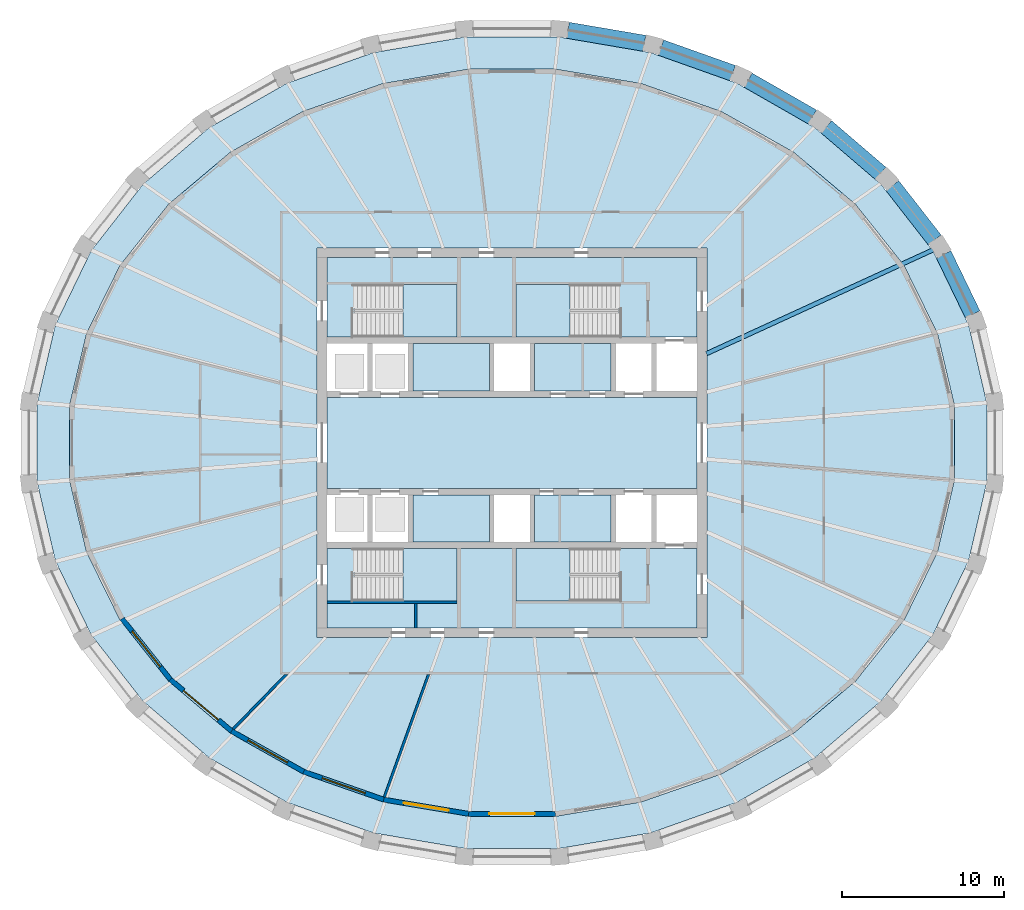
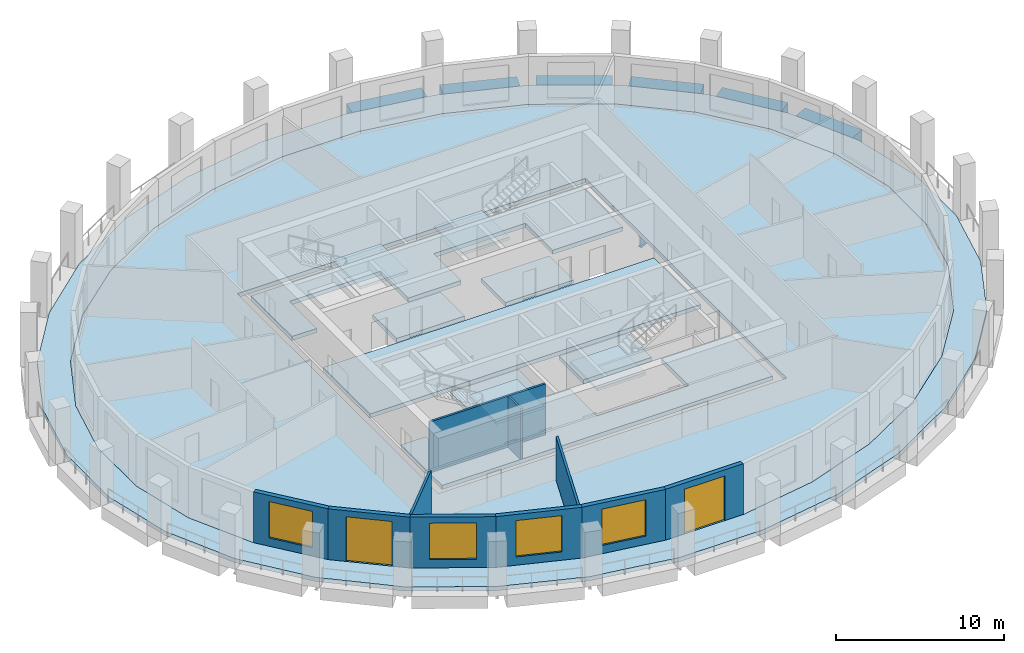
# One storey, part 2 of 10: 13 slabs, 10 walls, 7 beams, 4 windows, 2 doors, 6 openings, 4 elements without a shape of their own.
"""IFC4 building model written with IfcOpenShell, lengths in metres."""

from ifc_helpers import new_model, si_unit, direction, frame, frame_2d, origin, origin_2d, place, context, subcontext, project, spatial, polyline, rectangle, i_section, outline, extrude, material, layer, layer_set, material_profile, profile_set, type_object, element, fill, aggregate, save


model = new_model("IFC4")

# Units and contexts
model_context = context("Model", 3, precision=1e-05, world=origin(), true_north=direction((0.0, 1.0)))
body_context = subcontext(model_context, "Body", "Model", "MODEL_VIEW")
ifc_project = project(units=[si_unit("LENGTHUNIT", "METRE"), si_unit("AREAUNIT", "SQUARE_METRE"), si_unit("VOLUMEUNIT", "CUBIC_METRE"), si_unit("PLANEANGLEUNIT", "RADIAN"), si_unit("MASSUNIT", "GRAM", prefix="KILO")], contexts=[model_context])

# Site, building, storey
site_placement = place(None, origin())
site = spatial("IfcSite", under=ifc_project, at=site_placement, CompositionType="ELEMENT")
building_placement = place(site_placement, origin())
building = spatial("IfcBuilding", under=site, at=building_placement, Name="Halqa Exchange Tower", CompositionType="ELEMENT")
storey_placement = place(building_placement, frame((0.0, 0.0, 272.300048828125)))
storey = spatial("IfcBuildingStorey", under=building, at=storey_placement, Name="L63", CompositionType="ELEMENT", Elevation=272.300048828125)

# Beams
ifc_material_1 = material(Name="Steel S355", Category="steel")
ifc_material_profile_1 = material_profile(ifc_material_1, i_section(OverallWidth=0.264892578125, OverallDepth=0.7529296875, WebThickness=0.01318359375, FlangeThickness=0.01708984375, FilletRadius=0.01708984375, at=origin_2d()), Name="IPE 750x147")
ifc_profile_set_1 = profile_set([ifc_material_profile_1], Name="Steel S355")
beam_type_1 = type_object("IfcBeamType", Name="Floor beam IPE 750x147", PredefinedType="BEAM", material=ifc_profile_set_1)
beam_1_placement = place(storey_placement, frame((11.972412109375, 5.485107421875, -0.676513671875), z_axis=(0.909124745555, 0.416523945314, 0.0), x_axis=(-0.416523945314, 0.909124745555, 0.0)))
element("IfcBeam", 1, at=beam_1_placement, inside=storey, type_object=beam_type_1, Name="Radial beam 3", PredefinedType="BEAM", context=body_context, shape_type="SweptSolid", body=[
    extrude(i_section(OverallWidth=0.264892578125, OverallDepth=0.7529296875, WebThickness=0.01318359375, FlangeThickness=0.01708984375, FilletRadius=0.01708984375, at=origin_2d()), origin(), (0.0, 0.0, 1.0), 15.429443359375),
])
ifc_material_2 = material(Name="Concrete C60/75", Category="concrete")
ifc_material_profile_2 = material_profile(ifc_material_2, rectangle(XDim=1.0, YDim=0.89990234375, at=origin_2d()), Name="1000 x 900")
ifc_profile_set_2 = profile_set([ifc_material_profile_2], Name="Concrete C60/75")
beam_type_2 = type_object("IfcBeamType", Name="RC spandrel beam 1000 x 900 C60/75", PredefinedType="SPANDREL", material=ifc_profile_set_2)
beam_2_placement = place(storey_placement, frame((28.353759765625, 7.904541015625, -0.449951171875), z_axis=(-0.43506886732, 0.90039717941, 0.0), x_axis=(-0.90039717941, -0.43506886732, 0.0)))
element("IfcBeam", 2, at=beam_2_placement, inside=storey, type_object=beam_type_2, Name="Spandrel 2", PredefinedType="SPANDREL", context=body_context, shape_type="SweptSolid", body=[
    extrude(rectangle(XDim=1.0, YDim=0.89990234375, at=origin_2d()), origin(), (0.0, 0.0, 1.0), 4.0986328125),
])
beam_3_placement = place(storey_placement, frame((26.01904296875, 12.482421875, -0.449951171875), z_axis=(-0.614844941027, 0.788648019394, 0.0), x_axis=(-0.788648019394, -0.614844941027, 0.0)))
element("IfcBeam", 3, at=beam_3_placement, inside=storey, type_object=beam_type_2, Name="Spandrel 3", PredefinedType="SPANDREL", context=body_context, shape_type="SweptSolid", body=[
    extrude(rectangle(XDim=1.0, YDim=0.89990234375, at=origin_2d()), origin(), (0.0, 0.0, 1.0), 4.24072265625),
])
beam_4_placement = place(storey_placement, frame((22.690673828125, 16.58251953125, -0.449951171875), z_axis=(-0.759264428132, 0.650782243284, 0.0), x_axis=(-0.650782243284, -0.759264428132, 0.0)))
element("IfcBeam", 4, at=beam_4_placement, inside=storey, type_object=beam_type_2, Name="Spandrel 4", PredefinedType="SPANDREL", context=body_context, shape_type="SweptSolid", body=[
    extrude(rectangle(XDim=1.0, YDim=0.89990234375, at=origin_2d()), origin(), (0.0, 0.0, 1.0), 4.404296875),
])
beam_5_placement = place(storey_placement, frame((18.493896484375, 20.05029296875, -0.449951171875), z_axis=(-0.867728942601, 0.497037706992, 0.0), x_axis=(-0.497037706992, -0.867728942601, 0.0)))
element("IfcBeam", 5, at=beam_5_placement, inside=storey, type_object=beam_type_2, Name="Spandrel 5", PredefinedType="SPANDREL", context=body_context, shape_type="SweptSolid", body=[
    extrude(rectangle(XDim=1.0, YDim=0.89990234375, at=origin_2d()), origin(), (0.0, 0.0, 1.0), 4.562255859375),
])
beam_6_placement = place(storey_placement, frame((13.58642578125, 22.753662109375, -0.449951171875), z_axis=(-0.942370071958, 0.334572335194, 0.0), x_axis=(-0.334572335194, -0.942370071958, 0.0)))
element("IfcBeam", 6, at=beam_6_placement, inside=storey, type_object=beam_type_2, Name="Spandrel 6", PredefinedType="SPANDREL", context=body_context, shape_type="SweptSolid", body=[
    extrude(rectangle(XDim=1.0, YDim=0.89990234375, at=origin_2d()), origin(), (0.0, 0.0, 1.0), 4.692138671875),
])
beam_7_placement = place(storey_placement, frame((8.153564453125, 24.587158203125, -0.449951171875), z_axis=(-0.985773827322, 0.168077248215, 0.0), x_axis=(-0.168077248215, -0.985773827322, 0.0)))
element("IfcBeam", 7, at=beam_7_placement, inside=storey, type_object=beam_type_2, Name="Spandrel 7", PredefinedType="SPANDREL", context=body_context, shape_type="SweptSolid", body=[
    extrude(rectangle(XDim=1.0, YDim=0.89990234375, at=origin_2d()), origin(), (0.0, 0.0, 1.0), 4.77734375),
])

# Slabs
ifc_layer_1 = layer(ifc_material_2, 0.300048828125)
ifc_layer_set_1 = layer_set([ifc_layer_1], Name="Concrete C60/75")
slab_type_1 = type_object("IfcSlabType", Name="Core floor slab 300", PredefinedType="FLOOR", material=ifc_layer_set_1)
slab_1_placement = place(storey_placement, frame((0.0, 0.0, -0.300048828125)))
element("IfcSlab", 8, at=slab_1_placement, inside=storey, type_object=slab_type_1, Name="Core floor slab", PredefinedType="FLOOR", context=body_context, shape_type="SweptSolid", body=[
    extrude(outline(polyline([(-11.39990234375, 2.800048828125), (11.39990234375, 2.800048828125), (11.39990234375, -2.800048828125), (-11.39990234375, -2.800048828125), (-11.39990234375, 2.800048828125)])), origin(), (0.0, 0.0, 1.0), 0.300048828125),
])
slab_2_placement = place(storey_placement, frame((0.0, 0.0, -0.300048828125)))
element("IfcSlab", 9, at=slab_2_placement, inside=storey, type_object=slab_type_1, Name="Core floor slab", PredefinedType="FLOOR", context=body_context, shape_type="SweptSolid", body=[
    extrude(outline(polyline([(-11.39990234375, 11.39990234375), (11.39990234375, 11.39990234375), (11.39990234375, 6.5), (6.550048828125, 6.5), (6.550048828125, 9.75), (0.25, 9.75), (0.25, 6.5), (-3.39990234375, 6.5), (-3.39990234375, 9.75), (-9.699951171875, 9.75), (-9.699951171875, 6.5), (-11.39990234375, 6.5), (-11.39990234375, 11.39990234375)])), origin(), (0.0, 0.0, 1.0), 0.300048828125),
])
slab_3_placement = place(storey_placement, frame((0.0, 0.0, -0.300048828125)))
element("IfcSlab", 10, at=slab_3_placement, inside=storey, type_object=slab_type_1, Name="Core floor slab", PredefinedType="FLOOR", context=body_context, shape_type="SweptSolid", body=[
    extrude(outline(polyline([(-11.39990234375, -6.5), (-9.699951171875, -6.5), (-9.699951171875, -9.75), (-3.39990234375, -9.75), (-3.39990234375, -6.5), (0.25, -6.5), (0.25, -9.75), (6.550048828125, -9.75), (6.550048828125, -6.5), (11.39990234375, -6.5), (11.39990234375, -11.39990234375), (-11.39990234375, -11.39990234375), (-11.39990234375, -6.5)])), origin(), (0.0, 0.0, 1.0), 0.300048828125),
])
slab_4_placement = place(storey_placement, frame((0.0, 0.0, -0.300048828125)))
element("IfcSlab", 11, at=slab_4_placement, inside=storey, type_object=slab_type_1, Name="Core floor slab", PredefinedType="FLOOR", context=body_context, shape_type="SweptSolid", body=[
    extrude(outline(polyline([(-1.39990234375, -3.199951171875), (-1.39990234375, -6.10009765625), (-6.10009765625, -6.10009765625), (-6.10009765625, -3.199951171875), (-1.39990234375, -3.199951171875)])), origin(), (0.0, 0.0, 1.0), 0.300048828125),
])
slab_5_placement = place(storey_placement, frame((0.0, 0.0, -0.300048828125)))
element("IfcSlab", 12, at=slab_5_placement, inside=storey, type_object=slab_type_1, Name="Core floor slab", PredefinedType="FLOOR", context=body_context, shape_type="SweptSolid", body=[
    extrude(outline(polyline([(-1.39990234375, 3.199951171875), (-6.10009765625, 3.199951171875), (-6.10009765625, 6.10009765625), (-1.39990234375, 6.10009765625), (-1.39990234375, 3.199951171875)])), origin(), (0.0, 0.0, 1.0), 0.300048828125),
])
slab_6_placement = place(storey_placement, frame((0.0, 0.0, -0.300048828125)))
element("IfcSlab", 13, at=slab_6_placement, inside=storey, type_object=slab_type_1, Name="Core floor slab", PredefinedType="FLOOR", context=body_context, shape_type="SweptSolid", body=[
    extrude(outline(polyline([(6.10009765625, -3.199951171875), (6.10009765625, -6.10009765625), (1.39990234375, -6.10009765625), (1.39990234375, -3.199951171875), (6.10009765625, -3.199951171875)])), origin(), (0.0, 0.0, 1.0), 0.300048828125),
])
slab_7_placement = place(storey_placement, frame((0.0, 0.0, -0.300048828125)))
element("IfcSlab", 14, at=slab_7_placement, inside=storey, type_object=slab_type_1, Name="Core floor slab", PredefinedType="FLOOR", context=body_context, shape_type="SweptSolid", body=[
    extrude(outline(polyline([(6.10009765625, 6.10009765625), (6.10009765625, 3.199951171875), (1.39990234375, 3.199951171875), (1.39990234375, 6.10009765625), (6.10009765625, 6.10009765625)])), origin(), (0.0, 0.0, 1.0), 0.300048828125),
])
ifc_material_3 = material(Name="Concrete C40/50", Category="concrete")
ifc_layer_2 = layer(ifc_material_3, 0.300048828125)
ifc_layer_set_2 = layer_set([ifc_layer_2], Name="Concrete C40/50")
slab_type_2 = type_object("IfcSlabType", Name="RC floor slab 300", PredefinedType="FLOOR", material=ifc_layer_set_2)
slab_8_placement = place(storey_placement, frame((0.0, 0.0, -0.300048828125)))
element("IfcSlab", 15, at=slab_8_placement, inside=storey, type_object=slab_type_2, Name="Floor slab", PredefinedType="FLOOR", context=body_context, shape_type="SweptSolid", body=[
    extrude(outline(polyline([(27.238037109375, 2.269775390625), (26.18701171875, 6.720703125), (24.127197265625, 10.909912109375), (21.140380859375, 14.675048828125), (17.34375, 17.873291015625), (12.884033203125, 20.383544921875), (7.93212890625, 22.111328125), (2.67822265625, 22.99169921875), (-2.67822265625, 22.99169921875), (-7.93212890625, 22.111328125), (-12.884033203125, 20.383544921875), (-17.34375, 17.873291015625), (-21.140380859375, 14.675048828125), (-24.127197265625, 10.909912109375), (-26.18701171875, 6.720703125), (-27.238037109375, 2.269775390625), (-27.238037109375, -2.269775390625), (-26.18701171875, -6.720703125), (-24.127197265625, -10.909912109375), (-21.140380859375, -14.675048828125), (-17.34375, -17.873291015625), (-12.884033203125, -20.383544921875), (-7.93212890625, -22.111328125), (-2.67822265625, -22.99169921875), (2.67822265625, -22.99169921875), (7.93212890625, -22.111328125), (12.884033203125, -20.383544921875), (17.34375, -17.873291015625), (21.140380859375, -14.675048828125), (24.127197265625, -10.909912109375), (26.18701171875, -6.720703125), (27.238037109375, -2.269775390625), (27.238037109375, 2.269775390625)]), holes=[polyline([(-12.0, -12.0), (12.0, -12.0), (12.0, 12.0), (-12.0, 12.0), (-12.0, -12.0)])]), origin(), (0.0, 0.0, 1.0), 0.300048828125),
])
ifc_layer_3 = layer(ifc_material_3, 0.300048828125)
ifc_layer_set_3 = layer_set([ifc_layer_3], Name="Concrete C40/50")
slab_type_3 = type_object("IfcSlabType", Name="RC loggia slab 300", PredefinedType="FLOOR", material=ifc_layer_set_3)
slab_9_placement = place(storey_placement, frame((0.0, 0.0, -0.300048828125)))
element("IfcSlab", 16, at=slab_9_placement, inside=storey, type_object=slab_type_3, Name="Loggia slab", PredefinedType="FLOOR", context=body_context, shape_type="SweptSolid", body=[
    extrude(outline(polyline([(29.224609375, 2.4521484375), (29.224609375, -2.4521484375), (28.10791015625, -7.264404296875), (25.91455078125, -11.802978515625), (22.72509765625, -15.894287109375), (18.65869140625, -19.3798828125), (13.870361328125, -22.122314453125), (8.543701171875, -24.013427734375), (2.88525390625, -24.978271484375), (-2.88525390625, -24.978271484375), (-8.543701171875, -24.013427734375), (-13.870361328125, -22.122314453125), (-18.65869140625, -19.3798828125), (-22.72509765625, -15.894287109375), (-25.91455078125, -11.802978515625), (-28.10791015625, -7.264404296875), (-29.224609375, -2.4521484375), (-29.224609375, 2.4521484375), (-28.10791015625, 7.264404296875), (-25.91455078125, 11.802978515625), (-22.72509765625, 15.894287109375), (-18.65869140625, 19.3798828125), (-13.870361328125, 22.122314453125), (-8.543701171875, 24.013427734375), (-2.88525390625, 24.978271484375), (2.88525390625, 24.978271484375), (8.543701171875, 24.013427734375), (13.870361328125, 22.122314453125), (18.65869140625, 19.3798828125), (22.72509765625, 15.894287109375), (25.91455078125, 11.802978515625), (28.10791015625, 7.264404296875), (29.224609375, 2.4521484375)]), holes=[polyline([(27.238037109375, 2.269775390625), (26.18701171875, 6.720703125), (24.127197265625, 10.909912109375), (21.140380859375, 14.675048828125), (17.34375, 17.873291015625), (12.884033203125, 20.383544921875), (7.93212890625, 22.111328125), (2.67822265625, 22.99169921875), (-2.67822265625, 22.99169921875), (-7.93212890625, 22.111328125), (-12.884033203125, 20.383544921875), (-17.34375, 17.873291015625), (-21.140380859375, 14.675048828125), (-24.127197265625, 10.909912109375), (-26.18701171875, 6.720703125), (-27.238037109375, 2.269775390625), (-27.238037109375, -2.269775390625), (-26.18701171875, -6.720703125), (-24.127197265625, -10.909912109375), (-21.140380859375, -14.675048828125), (-17.34375, -17.873291015625), (-12.884033203125, -20.383544921875), (-7.93212890625, -22.111328125), (-2.67822265625, -22.99169921875), (2.67822265625, -22.99169921875), (7.93212890625, -22.111328125), (12.884033203125, -20.383544921875), (17.34375, -17.873291015625), (21.140380859375, -14.675048828125), (24.127197265625, -10.909912109375), (26.18701171875, -6.720703125), (27.238037109375, -2.269775390625), (27.238037109375, 2.269775390625)])]), origin(), (0.0, 0.0, 1.0), 0.300048828125),
])

# Stair, slab
ifc_material_4 = material(Name="Concrete C30/37", Category="concrete")
stair_type = type_object("IfcStairType", Name="Exit stair 1500 wide", PredefinedType="HALF_TURN_STAIR", material=ifc_material_4)
stair_1_placement = place(storey_placement, origin())
stair_1 = element("IfcStair", 17, at=stair_1_placement, inside=storey, type_object=stair_type, Name="Exit stair ST1", PredefinedType="HALF_TURN_STAIR")
ifc_layer_4 = layer(ifc_material_4, 0.199951171875)
ifc_layer_set_4 = layer_set([ifc_layer_4], Name="Concrete C30/37")
slab_type_4 = type_object("IfcSlabType", Name="Stair landing 200 slab", PredefinedType="LANDING", material=ifc_layer_set_4)
slab_10_placement = place(storey_placement, frame((0.0, 0.0, 1.800048828125)))
slab_10 = element("IfcSlab", 18, at=slab_10_placement, type_object=slab_type_4, Name="ST1 landing 1", PredefinedType="LANDING", context=body_context, shape_type="SweptSolid", body=[
    extrude(outline(polyline([(-6.719970703125, 6.5), (-3.39990234375, 6.5), (-3.39990234375, 9.75), (-6.719970703125, 9.75), (-6.719970703125, 6.5)])), origin(), (0.0, 0.0, 1.0), 0.199951171875),
])
aggregate(stair_1, [slab_10])

stair_2_placement = place(storey_placement, origin())
stair_2 = element("IfcStair", 19, at=stair_2_placement, inside=storey, type_object=stair_type, Name="Exit stair ST2", PredefinedType="HALF_TURN_STAIR")
slab_11_placement = place(storey_placement, frame((0.0, 0.0, 1.800048828125)))
slab_11 = element("IfcSlab", 20, at=slab_11_placement, type_object=slab_type_4, Name="ST2 landing 1", PredefinedType="LANDING", context=body_context, shape_type="SweptSolid", body=[
    extrude(outline(polyline([(0.25, 6.5), (3.570068359375, 6.5), (3.570068359375, 9.75), (0.25, 9.75), (0.25, 6.5)])), origin(), (0.0, 0.0, 1.0), 0.199951171875),
])
aggregate(stair_2, [slab_11])

stair_3_placement = place(storey_placement, origin())
stair_3 = element("IfcStair", 21, at=stair_3_placement, inside=storey, type_object=stair_type, Name="Exit stair ST3", PredefinedType="HALF_TURN_STAIR")
slab_12_placement = place(storey_placement, frame((0.0, 0.0, 1.800048828125)))
slab_12 = element("IfcSlab", 22, at=slab_12_placement, type_object=slab_type_4, Name="ST3 landing 1", PredefinedType="LANDING", context=body_context, shape_type="SweptSolid", body=[
    extrude(outline(polyline([(-6.719970703125, -9.75), (-3.39990234375, -9.75), (-3.39990234375, -6.5), (-6.719970703125, -6.5), (-6.719970703125, -9.75)])), origin(), (0.0, 0.0, 1.0), 0.199951171875),
])
aggregate(stair_3, [slab_12])

stair_4_placement = place(storey_placement, origin())
stair_4 = element("IfcStair", 23, at=stair_4_placement, inside=storey, type_object=stair_type, Name="Exit stair ST4", PredefinedType="HALF_TURN_STAIR")
slab_13_placement = place(storey_placement, frame((0.0, 0.0, 1.800048828125)))
slab_13 = element("IfcSlab", 24, at=slab_13_placement, type_object=slab_type_4, Name="ST4 landing 1", PredefinedType="LANDING", context=body_context, shape_type="SweptSolid", body=[
    extrude(outline(polyline([(0.25, -9.75), (3.570068359375, -9.75), (3.570068359375, -6.5), (0.25, -6.5), (0.25, -9.75)])), origin(), (0.0, 0.0, 1.0), 0.199951171875),
])
aggregate(stair_4, [slab_13])

# Walls
ifc_material_5 = material(Name="Fire-rated gypsum board")
ifc_layer_5 = layer(ifc_material_5, 0.14990234375)
ifc_layer_set_5 = layer_set([ifc_layer_5], Name="Fire-rated gypsum board")
wall_type_1 = type_object("IfcWallType", Name="Fire partition EI 60 150", PredefinedType="PARTITIONING", material=ifc_layer_set_5)
wall_1_placement = place(storey_placement, frame((-13.852294921875, -14.222900390625, 0.0), z_axis=(0.0, 0.0, 1.0), x_axis=(-0.69820654799, -0.715896372629, 0.0)))
element("IfcWall", 25, at=wall_1_placement, inside=storey, type_object=wall_type_1, Name="L63-PWL-012", PredefinedType="PARTITIONING", context=body_context, shape_type="SweptSolid", body=[
    extrude(outline(polyline([(4.73388671875, -0.074951171875), (4.73388671875, 0.07470703125), (4.73388671875, 0.074951171875), (3.156005859375, 0.074951171875), (1.577880859375, 0.074951171875), (0.0, 0.074951171875), (0.0, 0.07470703125), (0.14599609375, -0.074951171875), (1.67529296875, -0.074951171875), (3.20458984375, -0.074951171875), (4.73388671875, -0.074951171875)])), origin(), (0.0, 0.0, 1.0), 3.699951171875),
])
wall_2_placement = place(storey_placement, frame((-5.1279296875, -14.25, 0.0), z_axis=(0.0, 0.0, 1.0), x_axis=(-0.339369350229, -0.940653200773, 0.0)))
element("IfcWall", 26, at=wall_2_placement, inside=storey, type_object=wall_type_1, Name="L63-PWL-013", PredefinedType="PARTITIONING", context=body_context, shape_type="SweptSolid", body=[
    extrude(outline(polyline([(8.047119140625, -0.074951171875), (8.047119140625, -0.02978515625), (8.046875, 0.00146484375), (8.033447265625, 0.074951171875), (6.4267578125, 0.074951171875), (4.820068359375, 0.074951171875), (3.21337890625, 0.074951171875), (1.606689453125, 0.074951171875), (0.0, 0.074951171875), (0.0, 0.07373046875), (0.0537109375, -0.074951171875), (2.052001953125, -0.074951171875), (4.05029296875, -0.074951171875), (6.048828125, -0.074951171875), (8.047119140625, -0.074951171875)])), origin(), (0.0, 0.0, 1.0), 3.14990234375),
])
ifc_material_6 = material(Name="Gypsum board")
ifc_layer_6 = layer(ifc_material_6, 0.14990234375)
ifc_layer_set_6 = layer_set([ifc_layer_6], Name="Gypsum board")
wall_type_2 = type_object("IfcWallType", Name="Penthouse riser wall 150 gypsum", PredefinedType="PARTITIONING", material=ifc_layer_set_6)
wall_3_placement = place(storey_placement, frame((-5.925048828125, -11.39990234375, 0.0), z_axis=(0.0, 0.0, 1.0), x_axis=(0.0, 1.0, 0.0)))
element("IfcWall", 27, at=wall_3_placement, inside=storey, type_object=wall_type_2, Name="Partition W5.925 S", PredefinedType="PARTITIONING", context=body_context, shape_type="SweptSolid", body=[
    extrude(rectangle(XDim=1.5, YDim=0.14990234375, at=frame_2d((0.75, 0.0))), origin(), (0.0, 0.0, 1.0), 3.699951171875),
])
ifc_layer_7 = layer(ifc_material_4, 0.14990234375)
ifc_layer_set_7 = layer_set([ifc_layer_7], Name="Concrete C30/37")
wall_type_3 = type_object("IfcWallType", Name="RC stair wall 150 C30/37", PredefinedType="SHEAR", material=ifc_layer_set_7)
wall_4_placement = place(storey_placement, frame((-11.39990234375, -9.824951171875, 0.0), z_axis=(0.0, 0.0, 1.0), x_axis=(1.0, 0.0, 0.0)))
element("IfcWall", 28, at=wall_4_placement, inside=storey, type_object=wall_type_3, Name="Stair ST1 north wall S", PredefinedType="SHEAR", context=body_context, shape_type="SweptSolid", body=[
    extrude(rectangle(XDim=8.0, YDim=0.14990234375, at=frame_2d((4.0, 0.0))), origin(), (0.0, 0.0, 1.0), 3.699951171875),
])

# Wall, opening, window
ifc_material_7 = material(Name="Limestone cladding", Category="masonry")
ifc_layer_8 = layer(ifc_material_7, 0.0400390625)
ifc_material_8 = material(Name="Ventilated cavity")
ifc_layer_9 = layer(ifc_material_8, 0.030029296875, ventilated=True)
ifc_material_9 = material(Name="Mineral wool insulation")
ifc_layer_10 = layer(ifc_material_9, 0.10009765625)
ifc_layer_11 = layer(ifc_material_4, 0.10009765625)
ifc_material_10 = material(Name="Internal plaster")
ifc_layer_12 = layer(ifc_material_10, 0.030029296875)
ifc_layer_set_8 = layer_set([ifc_layer_8, ifc_layer_9, ifc_layer_10, ifc_layer_11, ifc_layer_12], Name="Stone-faced insulated wall 300")
wall_type_4 = type_object("IfcWallType", Name="Stone-faced insulated wall 300", PredefinedType="STANDARD", material=ifc_layer_set_8)
wall_5_placement = place(storey_placement, frame((-23.999755859375, -10.8291015625, 0.0), z_axis=(0.0, 0.0, 1.0), x_axis=(0.621434755851, -0.783465917715, 0.0)))
wall_5 = element("IfcWall", 29, at=wall_5_placement, inside=storey, type_object=wall_type_4, Name="Glass-line wall 19", PredefinedType="STANDARD", context=body_context, shape_type="SweptSolid", body=[
    extrude(outline(polyline([(-0.01611328125, -0.14990234375), (4.7900390625, -0.14990234375), (4.759765625, 0.14990234375), (0.01611328125, 0.14990234375), (-0.01611328125, -0.14990234375)])), origin(), (0.0, 0.0, 1.0), 3.699951171875),
])
opening_1_placement = place(wall_5_placement, frame((0.9873046875, 0.0, 0.60009765625)))
opening_1 = element("IfcOpeningElement", 30, at=opening_1_placement, cuts=wall_5, Name="Opening W-F4-19", PredefinedType="OPENING", context=body_context, shape_type="SweptSolid", body=[
    extrude(rectangle(XDim=2.800048828125, YDim=2.64990234375, at=frame_2d((1.39990234375, 1.324951171875))), frame((0.0, 0.162109375, 0.0), z_axis=(0.0, -1.0, 0.0), x_axis=(1.0, 0.0, 0.0)), (0.0, 0.0, 1.0), 0.323974609375),
])
ifc_material_11 = material(Name="Clear low-emissivity glass in aluminium frame", Category="aluminium")
window_type = type_object("IfcWindowType", Name="Fixed clear glazed window 2800 x 2650", PartitioningType="DOUBLE_PANEL_VERTICAL", PredefinedType="WINDOW", material=ifc_material_11)
window_1_placement = place(opening_1_placement, origin())
window_1 = element("IfcWindow", 31, at=window_1_placement, inside=storey, type_object=window_type, Name="Window 4", OverallHeight=2.64990234375, OverallWidth=2.800048828125, PartitioningType="DOUBLE_PANEL_VERTICAL", PredefinedType="WINDOW", context=body_context, shape_type="SweptSolid", body=[
    extrude(rectangle(XDim=2.800048828125, YDim=2.64990234375, at=frame_2d((1.39990234375, 1.324951171875))), frame((0.0, 0.030029296875, 0.0), z_axis=(0.0, -1.0, 0.0), x_axis=(1.0, 0.0, 0.0)), (0.0, 0.0, 1.0), 0.06005859375),
])
fill(opening_1, window_1)

# Wall, opening, door
wall_6_placement = place(storey_placement, frame((-21.032470703125, -14.570068359375, 0.0), z_axis=(0.0, 0.0, 1.0), x_axis=(0.764832940795, -0.644228664897, 0.0)))
wall_6 = element("IfcWall", 32, at=wall_6_placement, inside=storey, type_object=wall_type_4, Name="Glass-line wall 20", PredefinedType="STANDARD", context=body_context, shape_type="SweptSolid", body=[
    extrude(outline(polyline([(-0.01513671875, -0.14990234375), (4.949462890625, -0.14990234375), (4.921142578125, 0.14990234375), (0.01513671875, 0.14990234375), (-0.01513671875, -0.14990234375)])), origin(), (0.0, 0.0, 1.0), 3.699951171875),
])
opening_2_placement = place(wall_6_placement, frame((1.067626953125, 0.0, 0.0)))
opening_2 = element("IfcOpeningElement", 33, at=opening_2_placement, cuts=wall_6, Name="Opening LG-F4-05", PredefinedType="OPENING", context=body_context, shape_type="SweptSolid", body=[
    extrude(rectangle(XDim=2.800048828125, YDim=3.25, at=frame_2d((1.39990234375, 1.625))), frame((0.0, 0.162109375, 0.0), z_axis=(0.0, -1.0, 0.0), x_axis=(1.0, 0.0, 0.0)), (0.0, 0.0, 1.0), 0.323974609375),
])
door_type = type_object("IfcDoorType", Name="Glazed sliding loggia door 2800 x 3250", OperationType="DOUBLE_DOOR_SLIDING", PredefinedType="DOOR", material=ifc_material_11)
door_1_placement = place(opening_2_placement, origin())
door_1 = element("IfcDoor", 34, at=door_1_placement, inside=storey, type_object=door_type, Name="Loggia door 5", OperationType="DOUBLE_DOOR_SLIDING", OverallHeight=3.25, OverallWidth=2.800048828125, PredefinedType="DOOR", context=body_context, shape_type="SweptSolid", body=[
    extrude(rectangle(XDim=2.800048828125, YDim=3.25, at=frame_2d((1.39990234375, 1.625))), frame((0.0, 0.02490234375, 0.0), z_axis=(0.0, -1.0, 0.0), x_axis=(1.0, 0.0, 0.0)), (0.0, 0.0, 1.0), 0.050048828125),
])
fill(opening_2, door_1)

# Wall, opening, window
wall_7_placement = place(storey_placement, frame((-17.2578125, -17.74951171875, 0.0), z_axis=(0.0, 0.0, 1.0), x_axis=(0.871433320402, -0.490513983585, 0.0)))
wall_7 = element("IfcWall", 35, at=wall_7_placement, inside=storey, type_object=wall_type_4, Name="Glass-line wall 21", PredefinedType="STANDARD", context=body_context, shape_type="SweptSolid", body=[
    extrude(outline(polyline([(-0.01416015625, -0.14990234375), (5.103759765625, -0.14990234375), (5.076904296875, 0.14990234375), (0.01416015625, 0.14990234375), (-0.01416015625, -0.14990234375)])), origin(), (0.0, 0.0, 1.0), 3.699951171875),
])
opening_3_placement = place(wall_7_placement, frame((1.14501953125, 0.0, 0.60009765625)))
opening_3 = element("IfcOpeningElement", 36, at=opening_3_placement, cuts=wall_7, Name="Opening W-F4-21", PredefinedType="OPENING", context=body_context, shape_type="SweptSolid", body=[
    extrude(rectangle(XDim=2.800048828125, YDim=2.64990234375, at=frame_2d((1.39990234375, 1.324951171875))), frame((0.0, 0.162109375, 0.0), z_axis=(0.0, -1.0, 0.0), x_axis=(1.0, 0.0, 0.0)), (0.0, 0.0, 1.0), 0.323974609375),
])
window_2_placement = place(opening_3_placement, origin())
window_2 = element("IfcWindow", 37, at=window_2_placement, inside=storey, type_object=window_type, Name="Window 4", OverallHeight=2.64990234375, OverallWidth=2.800048828125, PartitioningType="DOUBLE_PANEL_VERTICAL", PredefinedType="WINDOW", context=body_context, shape_type="SweptSolid", body=[
    extrude(rectangle(XDim=2.800048828125, YDim=2.64990234375, at=frame_2d((1.39990234375, 1.324951171875))), frame((0.0, 0.030029296875, 0.0), z_axis=(0.0, -1.0, 0.0), x_axis=(1.0, 0.0, 0.0)), (0.0, 0.0, 1.0), 0.06005859375),
])
fill(opening_3, window_2)

wall_8_placement = place(storey_placement, frame((-12.822021484375, -20.246337890625, 0.0), z_axis=(0.0, 0.0, 1.0), x_axis=(0.9441693858, -0.329460423904, 0.0)))
wall_8 = element("IfcWall", 38, at=wall_8_placement, inside=storey, type_object=wall_type_4, Name="Glass-line wall 22", PredefinedType="STANDARD", context=body_context, shape_type="SweptSolid", body=[
    extrude(outline(polyline([(-0.013427734375, -0.14990234375), (5.23095703125, -0.14990234375), (5.20556640625, 0.14990234375), (0.013427734375, 0.14990234375), (-0.013427734375, -0.14990234375)])), origin(), (0.0, 0.0, 1.0), 3.699951171875),
])
opening_4_placement = place(wall_8_placement, frame((1.209228515625, 0.0, 0.60009765625)))
opening_4 = element("IfcOpeningElement", 39, at=opening_4_placement, cuts=wall_8, Name="Opening W-F4-22", PredefinedType="OPENING", context=body_context, shape_type="SweptSolid", body=[
    extrude(rectangle(XDim=2.800048828125, YDim=2.64990234375, at=frame_2d((1.39990234375, 1.324951171875))), frame((0.0, 0.162109375, 0.0), z_axis=(0.0, -1.0, 0.0), x_axis=(1.0, 0.0, 0.0)), (0.0, 0.0, 1.0), 0.323974609375),
])
window_3_placement = place(opening_4_placement, origin())
window_3 = element("IfcWindow", 40, at=window_3_placement, inside=storey, type_object=window_type, Name="Window 4", OverallHeight=2.64990234375, OverallWidth=2.800048828125, PartitioningType="DOUBLE_PANEL_VERTICAL", PredefinedType="WINDOW", context=body_context, shape_type="SweptSolid", body=[
    extrude(rectangle(XDim=2.800048828125, YDim=2.64990234375, at=frame_2d((1.39990234375, 1.324951171875))), frame((0.0, 0.030029296875, 0.0), z_axis=(0.0, -1.0, 0.0), x_axis=(1.0, 0.0, 0.0)), (0.0, 0.0, 1.0), 0.06005859375),
])
fill(opening_4, window_3)

wall_9_placement = place(storey_placement, frame((-7.89501953125, -21.965576171875, 0.0), z_axis=(0.0, 0.0, 1.0), x_axis=(0.986250435411, -0.165257612993, 0.0)))
wall_9 = element("IfcWall", 41, at=wall_9_placement, inside=storey, type_object=wall_type_4, Name="Glass-line wall 23", PredefinedType="STANDARD", context=body_context, shape_type="SweptSolid", body=[
    extrude(outline(polyline([(-0.0126953125, -0.14990234375), (5.314697265625, -0.14990234375), (5.289794921875, 0.14990234375), (0.0126953125, 0.14990234375), (-0.0126953125, -0.14990234375)])), origin(), (0.0, 0.0, 1.0), 3.699951171875),
])
opening_5_placement = place(wall_9_placement, frame((1.2509765625, 0.0, 0.60009765625)))
opening_5 = element("IfcOpeningElement", 42, at=opening_5_placement, cuts=wall_9, Name="Opening W-F4-23", PredefinedType="OPENING", context=body_context, shape_type="SweptSolid", body=[
    extrude(rectangle(XDim=2.800048828125, YDim=2.64990234375, at=frame_2d((1.39990234375, 1.324951171875))), frame((0.0, 0.162109375, 0.0), z_axis=(0.0, -1.0, 0.0), x_axis=(1.0, 0.0, 0.0)), (0.0, 0.0, 1.0), 0.323974609375),
])
window_4_placement = place(opening_5_placement, origin())
window_4 = element("IfcWindow", 43, at=window_4_placement, inside=storey, type_object=window_type, Name="Window 4", OverallHeight=2.64990234375, OverallWidth=2.800048828125, PartitioningType="DOUBLE_PANEL_VERTICAL", PredefinedType="WINDOW", context=body_context, shape_type="SweptSolid", body=[
    extrude(rectangle(XDim=2.800048828125, YDim=2.64990234375, at=frame_2d((1.39990234375, 1.324951171875))), frame((0.0, 0.030029296875, 0.0), z_axis=(0.0, -1.0, 0.0), x_axis=(1.0, 0.0, 0.0)), (0.0, 0.0, 1.0), 0.06005859375),
])
fill(opening_5, window_4)

# Wall, opening, door
wall_10_placement = place(storey_placement, frame((-2.665771484375, -22.841796875, 0.0), z_axis=(0.0, 0.0, 1.0), x_axis=(1.0, 0.0, 0.0)))
wall_10 = element("IfcWall", 44, at=wall_10_placement, inside=storey, type_object=wall_type_4, Name="Glass-line wall 24", PredefinedType="STANDARD", context=body_context, shape_type="SweptSolid", body=[
    extrude(outline(polyline([(-0.012451171875, -0.14990234375), (5.343994140625, -0.14990234375), (5.319091796875, 0.14990234375), (0.012451171875, 0.14990234375), (-0.012451171875, -0.14990234375)])), origin(), (0.0, 0.0, 1.0), 3.699951171875),
])
opening_6_placement = place(wall_10_placement, frame((1.265625, 0.0, 0.0)))
opening_6 = element("IfcOpeningElement", 45, at=opening_6_placement, cuts=wall_10, Name="Opening LG-F4-06", PredefinedType="OPENING", context=body_context, shape_type="SweptSolid", body=[
    extrude(rectangle(XDim=2.800048828125, YDim=3.25, at=frame_2d((1.39990234375, 1.625))), frame((0.0, 0.162109375, 0.0), z_axis=(0.0, -1.0, 0.0), x_axis=(1.0, 0.0, 0.0)), (0.0, 0.0, 1.0), 0.323974609375),
])
door_2_placement = place(opening_6_placement, origin())
door_2 = element("IfcDoor", 46, at=door_2_placement, inside=storey, type_object=door_type, Name="Loggia door 6", OperationType="DOUBLE_DOOR_SLIDING", OverallHeight=3.25, OverallWidth=2.800048828125, PredefinedType="DOOR", context=body_context, shape_type="SweptSolid", body=[
    extrude(rectangle(XDim=2.800048828125, YDim=3.25, at=frame_2d((1.39990234375, 1.625))), frame((0.0, 0.02490234375, 0.0), z_axis=(0.0, -1.0, 0.0), x_axis=(1.0, 0.0, 0.0)), (0.0, 0.0, 1.0), 0.050048828125),
])
fill(opening_6, door_2)

save(model, "model.ifc")
